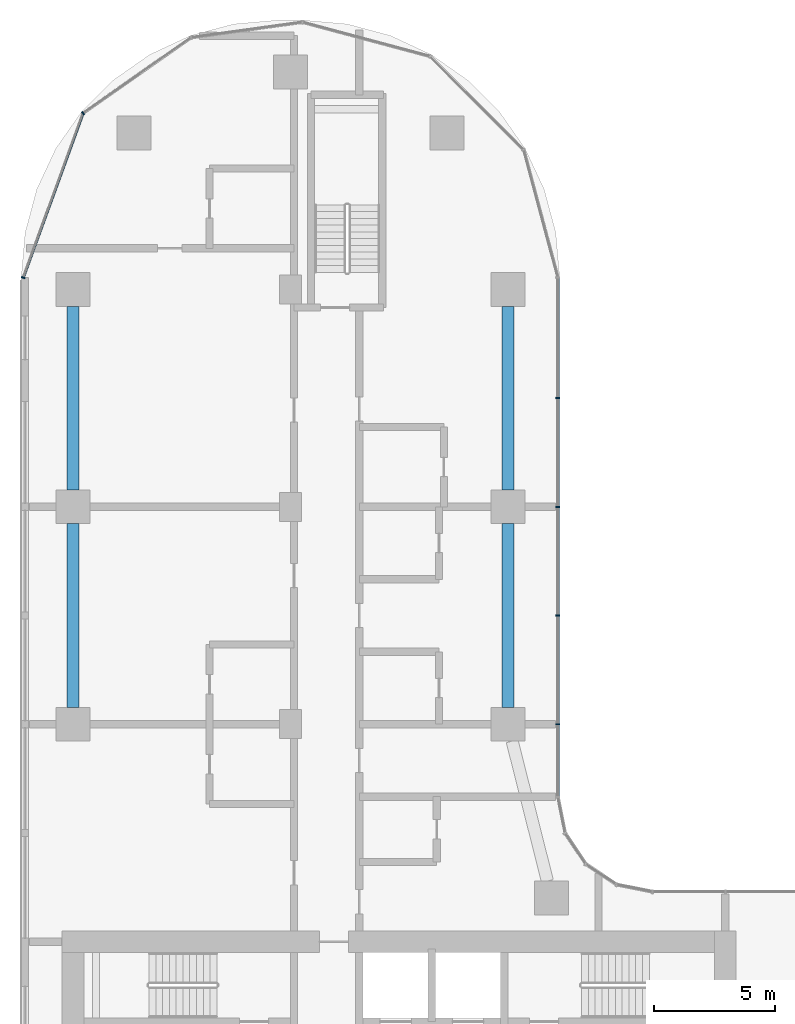
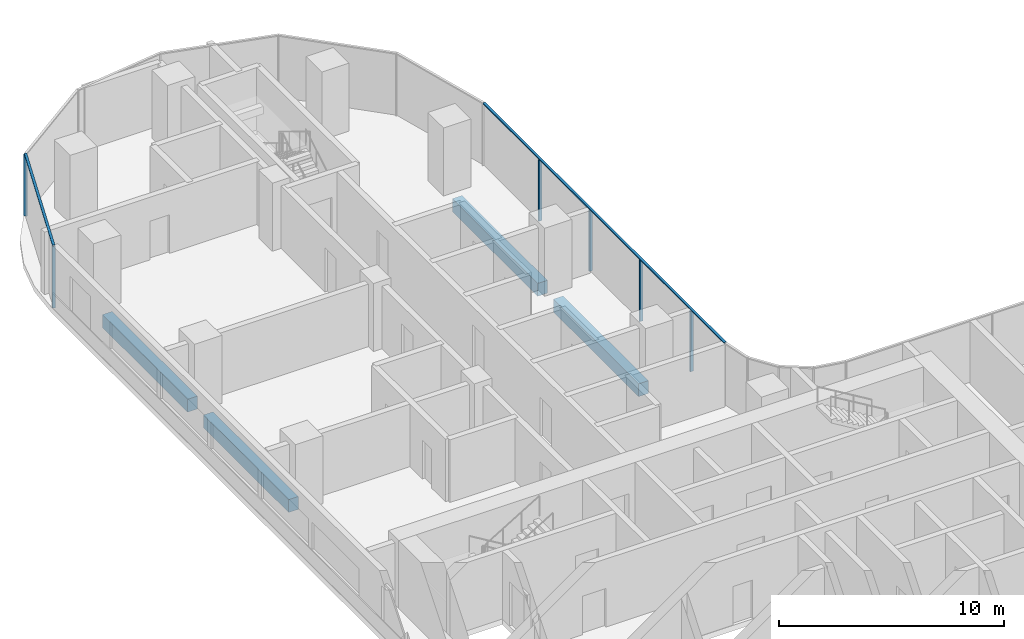
# One storey, part 6 of 32: 8 members, 4 beams, 2 elements without a shape of their own.
"""IFC4 building model written with IfcOpenShell, lengths in metres."""

from ifc_helpers import new_model, si_unit, direction, frame, origin, origin_2d, place, context, subcontext, project, spatial, rectangle, extrude, material, material_profile, profile_set, type_object, element, aggregate, save


model = new_model("IFC4")

# Units and contexts
model_context = context("Model", 3, precision=1e-05, world=origin(), true_north=direction((0.0, 1.0)))
body_context = subcontext(model_context, "Body", "Model", "MODEL_VIEW")
ifc_project = project(units=[si_unit("LENGTHUNIT", "METRE"), si_unit("AREAUNIT", "SQUARE_METRE"), si_unit("VOLUMEUNIT", "CUBIC_METRE"), si_unit("PLANEANGLEUNIT", "RADIAN"), si_unit("MASSUNIT", "GRAM", prefix="KILO")], contexts=[model_context])

# Site, building, storey
site_placement = place(None, origin())
site = spatial("IfcSite", under=ifc_project, at=site_placement, CompositionType="ELEMENT")
building_placement = place(site_placement, origin())
building = spatial("IfcBuilding", under=site, at=building_placement, Name="Ogive Portal Towers", CompositionType="ELEMENT")
storey_placement = place(building_placement, frame((0.0, 0.0, 59.39990234375)))
storey = spatial("IfcBuildingStorey", under=building, at=storey_placement, Name="L13", CompositionType="ELEMENT", Elevation=59.39990234375)

# Curtain wall, members
ifc_material_1 = material(Name="Glass, clear low-iron insulated glazing", Category="glass")
curtain_wall_type = type_object("IfcCurtainWallType", Name="CW FRONT RIBBON 4500", PredefinedType="NOTDEFINED", material=ifc_material_1)
curtain_wall_1_placement = place(storey_placement, origin())
curtain_wall_1 = element("IfcCurtainWall", 1, at=curtain_wall_1_placement, inside=storey, type_object=curtain_wall_type, Name="A:L13:f21:cw0", PredefinedType="NOTDEFINED")
ifc_material_2 = material(Name="Aluminium 6063 anodised", Category="aluminium")
ifc_material_profile_1 = material_profile(ifc_material_2, rectangle(XDim=0.159912109375, YDim=0.06005859375, at=origin_2d()), Name="AL 60x160")
ifc_profile_set_1 = profile_set([ifc_material_profile_1], Name="Aluminium 6063 anodised")
member_type_1 = type_object("IfcMemberType", Name="CW MULLION 60x160", PredefinedType="MULLION", material=ifc_profile_set_1)
member_1_placement = place(storey_placement, frame((51.56494140625, 48.5, 0.0), z_axis=(0.0, 0.0, 1.0), x_axis=(-1.0, 0.0, 0.0)))
member_1 = element("IfcMember", 2, at=member_1_placement, type_object=member_type_1, Name="mullion", PredefinedType="MULLION", context=body_context, shape_type="SweptSolid", body=[
    extrude(rectangle(XDim=0.159912109375, YDim=0.06005859375, at=origin_2d()), origin(), (0.0, 0.0, 1.0), 3.340087890625),
])
member_2_placement = place(storey_placement, frame((51.56494140625, 53.0, 0.0), z_axis=(0.0, 0.0, 1.0), x_axis=(-1.0, 0.0, 0.0)))
member_2 = element("IfcMember", 3, at=member_2_placement, type_object=member_type_1, Name="mullion", PredefinedType="MULLION", context=body_context, shape_type="SweptSolid", body=[
    extrude(rectangle(XDim=0.159912109375, YDim=0.06005859375, at=origin_2d()), origin(), (0.0, 0.0, 1.0), 3.340087890625),
])
member_3_placement = place(storey_placement, frame((51.56494140625, 57.5, 0.0), z_axis=(0.0, 0.0, 1.0), x_axis=(-1.0, 0.0, 0.0)))
member_3 = element("IfcMember", 4, at=member_3_placement, type_object=member_type_1, Name="mullion", PredefinedType="MULLION", context=body_context, shape_type="SweptSolid", body=[
    extrude(rectangle(XDim=0.159912109375, YDim=0.06005859375, at=origin_2d()), origin(), (0.0, 0.0, 1.0), 3.340087890625),
])
member_4_placement = place(storey_placement, frame((51.56494140625, 62.0, 0.0), z_axis=(0.0, 0.0, 1.0), x_axis=(-1.0, 0.0, 0.0)))
member_4 = element("IfcMember", 5, at=member_4_placement, type_object=member_type_1, Name="mullion", PredefinedType="MULLION", context=body_context, shape_type="SweptSolid", body=[
    extrude(rectangle(XDim=0.159912109375, YDim=0.06005859375, at=origin_2d()), origin(), (0.0, 0.0, 1.0), 3.340087890625),
])

curtain_wall_2_placement = place(storey_placement, origin())
curtain_wall_2 = element("IfcCurtainWall", 6, at=curtain_wall_2_placement, inside=storey, type_object=curtain_wall_type, Name="A:L13:f22:cwa", PredefinedType="NOTDEFINED")
member_5_placement = place(storey_placement, frame((31.912109375, 73.79150390625, 0.0), z_axis=(0.0, 0.0, 1.0), x_axis=(0.573576436351, -0.819152044289, 0.0)))
member_5 = element("IfcMember", 7, at=member_5_placement, type_object=member_type_1, Name="mullion", PredefinedType="MULLION", context=body_context, shape_type="SweptSolid", body=[
    extrude(rectangle(XDim=0.159912109375, YDim=0.06005859375, at=origin_2d()), origin(), (0.0, 0.0, 1.0), 3.340087890625),
])
member_6_placement = place(storey_placement, frame((29.43505859375, 66.98583984375, 0.0), z_axis=(0.0, 0.0, 1.0), x_axis=(0.939692620786, -0.342020143326, 0.0)))
member_6 = element("IfcMember", 8, at=member_6_placement, type_object=member_type_1, Name="mullion", PredefinedType="MULLION", context=body_context, shape_type="SweptSolid", body=[
    extrude(rectangle(XDim=0.159912109375, YDim=0.06005859375, at=origin_2d()), origin(), (0.0, 0.0, 1.0), 3.340087890625),
])

# Member
ifc_material_profile_2 = material_profile(ifc_material_2, rectangle(XDim=0.1201171875, YDim=0.06005859375, at=origin_2d()), Name="AL 120x60")
ifc_profile_set_2 = profile_set([ifc_material_profile_2], Name="Aluminium 6063 anodised")
member_type_2 = type_object("IfcMemberType", Name="CW TRANSOM 60x120", PredefinedType="USERDEFINED", material=ifc_profile_set_2)
member_7_placement = place(storey_placement, frame((51.56494140625, 45.4921875, 3.3701171875), z_axis=(0.0, 1.0, 0.0), x_axis=(-1.0, 0.0, 0.0)))
member_7 = element("IfcMember", 9, at=member_7_placement, type_object=member_type_2, Name="transom", ObjectType="TRANSOM", PredefinedType="USERDEFINED", context=body_context, shape_type="SweptSolid", body=[
    extrude(rectangle(XDim=0.1201171875, YDim=0.06005859375, at=origin_2d()), origin(), (0.0, 0.0, 1.0), 21.497314453125),
])

aggregate(curtain_wall_1, [member_7, member_1, member_2, member_3, member_4])

member_8_placement = place(storey_placement, frame((31.912109375, 73.79150390625, 3.3701171875), z_axis=(-0.342019123812, -0.939692991858, 0.0), x_axis=(0.939692991858, -0.342019123812, 0.0)))
member_8 = element("IfcMember", 10, at=member_8_placement, type_object=member_type_2, Name="transom", ObjectType="TRANSOM", PredefinedType="USERDEFINED", context=body_context, shape_type="SweptSolid", body=[
    extrude(rectangle(XDim=0.1201171875, YDim=0.06005859375, at=origin_2d()), origin(), (0.0, 0.0, 1.0), 7.242431640625),
])

aggregate(curtain_wall_2, [member_8, member_5, member_6])

# Beams
ifc_material_3 = material(Name="Concrete C40/50", Category="concrete")
ifc_material_profile_3 = material_profile(ifc_material_3, rectangle(XDim=0.5, YDim=0.699951171875, at=origin_2d()), Name="RC 500x700")
ifc_profile_set_3 = profile_set([ifc_material_profile_3], Name="Concrete C40/50")
beam_type = type_object("IfcBeamType", Name="SPANDREL BEAM RC 500x700", PredefinedType="BEAM", material=ifc_profile_set_3)
for number, where, z_axis, x_axis, name in (
    (11, (31.5, 49.199951171875, -0.64990234375), (0.0, 1.0, 0.0), (-1.0, 0.0, 0.0), "Spandrel beam L13"),
    (12, (31.5, 58.199951171875, -0.64990234375), (0.0, 1.0, 0.0), (-1.0, 0.0, 0.0), "Spandrel beam L13"),
    (13, (49.5, 65.800048828125, -0.64990234375), (0.0, -1.0, 0.0), (1.0, 0.0, 0.0), "Spandrel beam L13"),
    (14, (49.5, 56.800048828125, -0.64990234375), (0.0, -1.0, 0.0), (1.0, 0.0, 0.0), "Spandrel beam L13"),
):
    element("IfcBeam", number, at=place(storey_placement, frame(where, z_axis=z_axis, x_axis=x_axis)), inside=storey, type_object=beam_type, Name=name, PredefinedType="BEAM", context=body_context, shape_type="SweptSolid", body=[
        extrude(rectangle(XDim=0.5, YDim=0.699951171875, at=origin_2d()), origin(), (0.0, 0.0, 1.0), 7.60009765625),
    ])

save(model, "model.ifc")
